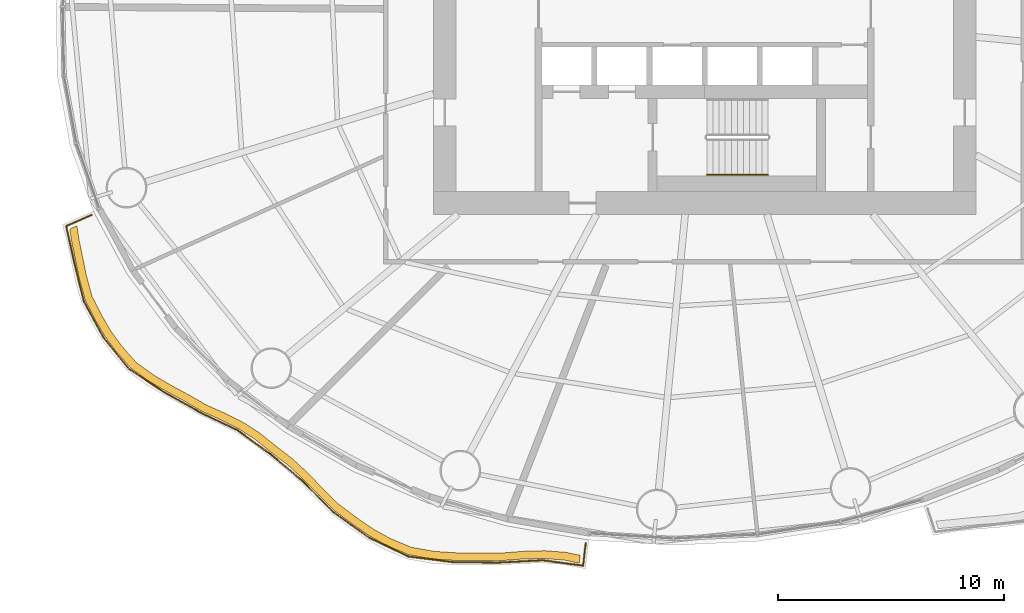
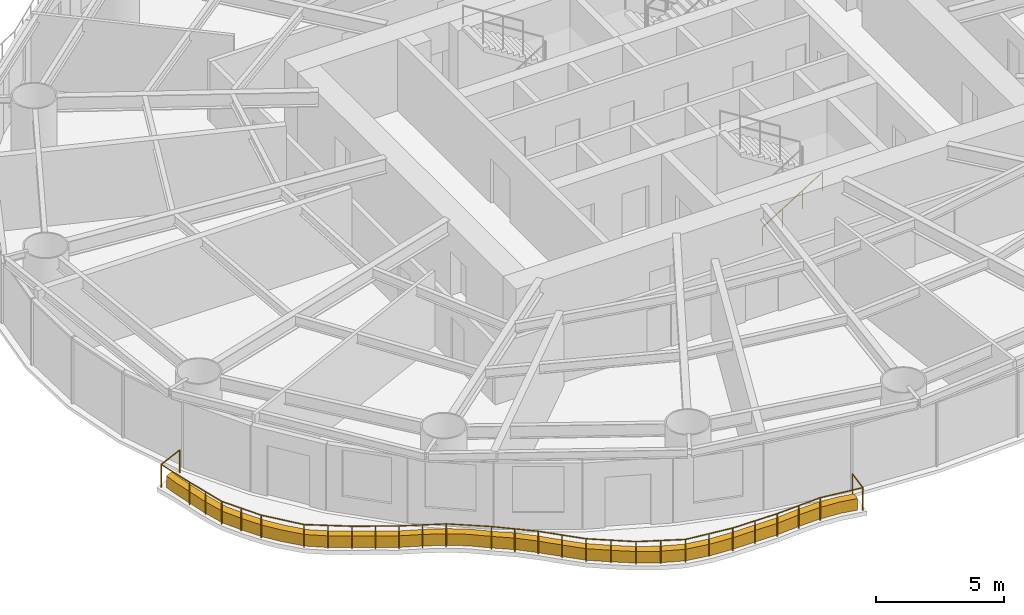
# One storey, part 12 of 16: 2 railings, 1 covering.
"""IFC4 building model written with IfcOpenShell, lengths in metres."""

from ifc_helpers import new_model, si_unit, direction, frame, origin, origin_2d, place, context, subcontext, project, spatial, polyline, circle, outline, extrude, material, type_object, element, save


model = new_model("IFC4")

# Units and contexts
model_context = context("Model", 3, precision=1e-05, world=origin(), true_north=direction((0.0, 1.0)))
body_context = subcontext(model_context, "Body", "Model", "MODEL_VIEW")
ifc_project = project(units=[si_unit("LENGTHUNIT", "METRE"), si_unit("AREAUNIT", "SQUARE_METRE"), si_unit("VOLUMEUNIT", "CUBIC_METRE"), si_unit("PLANEANGLEUNIT", "RADIAN"), si_unit("MASSUNIT", "GRAM", prefix="KILO")], contexts=[model_context])

# Site, building, storey
site_placement = place(None, origin())
site = spatial("IfcSite", under=ifc_project, at=site_placement, CompositionType="ELEMENT")
building_placement = place(site_placement, origin())
building = spatial("IfcBuilding", under=site, at=building_placement, Name="Vermilion Reach Broadcast Tower", CompositionType="ELEMENT")
storey_placement = place(building_placement, frame((0.0, 0.0, 58.199951171875)))
storey = spatial("IfcBuildingStorey", under=building, at=storey_placement, Name="L11", CompositionType="ELEMENT", Elevation=58.199951171875)

# Covering
ifc_material_1 = material(Name="Planting soil and greenery")
covering_type = type_object("IfcCoveringType", Name="Balcony PLANTER", PredefinedType="USERDEFINED", material=ifc_material_1)
covering_placement = place(storey_placement, origin())
element("IfcCovering", 1, at=covering_placement, inside=storey, type_object=covering_type, Name="PLANTER L11 group 3", ObjectType="PLANTER", PredefinedType="USERDEFINED", context=body_context, shape_type="SweptSolid", body=[
    extrude(outline(polyline([(-34.08740234375, -9.64990234375), (-33.98828125, -10.26708984375), (-33.8212890625, -11.07470703125), (-33.656494140625, -11.883544921875), (-33.392333984375, -12.82373046875), (-32.942138671875, -13.698486328125), (-32.531494140625, -14.3994140625), (-32.053466796875, -15.050048828125), (-31.40673828125, -15.784912109375), (-30.5908203125, -16.37744140625), (-29.852783203125, -16.809814453125), (-29.0927734375, -17.22021484375), (-28.262451171875, -17.703369140625), (-27.37353515625, -18.10498046875), (-26.6044921875, -18.496826171875), (-25.886962890625, -18.95654296875), (-25.172119140625, -19.533935546875), (-24.417236328125, -20.10791015625), (-23.76171875, -20.7158203125), (-23.13134765625, -21.3671875), (-22.406982421875, -22.08984375), (-21.573486328125, -22.70947265625), (-20.823974609375, -23.2275390625), (-20.0400390625, -23.663818359375), (-19.084716796875, -24.060791015625), (-18.042236328125, -24.246826171875), (-17.11181640625, -24.30810546875), (-16.16552734375, -24.314453125), (-15.12841796875, -24.329345703125), (-14.085693359375, -24.251220703125), (-13.142333984375, -24.224853515625), (-12.215576171875, -24.29443359375), (-11.54541015625, -24.43359375), (-11.5048828125, -24.0859375), (-12.15625, -23.949462890625), (-13.082763671875, -23.880126953125), (-14.026123046875, -23.906494140625), (-15.049560546875, -23.98828125), (-16.067626953125, -23.978271484375), (-17.013916015625, -23.97216796875), (-17.9443359375, -23.910888671875), (-18.96728515625, -23.731201171875), (-19.903564453125, -23.341552734375), (-20.687744140625, -22.9052734375), (-21.43701171875, -22.38720703125), (-22.251220703125, -21.7763671875), (-22.956787109375, -21.06396484375), (-23.587158203125, -20.41259765625), (-24.242431640625, -19.8046875), (-24.978271484375, -19.242431640625), (-25.675048828125, -18.67822265625), (-26.392333984375, -18.218505859375), (-27.161376953125, -17.82666015625), (-28.031982421875, -17.43994140625), (-28.84521484375, -16.972900390625), (-29.60498046875, -16.5625), (-30.34326171875, -16.130126953125), (-31.14208984375, -15.5556640625), (-31.773193359375, -14.84033203125), (-32.251220703125, -14.189697265625), (-32.661865234375, -13.48876953125), (-33.09716796875, -12.635498046875), (-33.34814453125, -11.7177734375), (-33.51318359375, -10.908935546875), (-33.679931640625, -10.101318359375), (-33.767333984375, -9.508544921875), (-34.08740234375, -9.64990234375)])), origin(), (0.0, 0.0, 1.0), 0.550048828125),
])

# Railings
ifc_material_2 = material(Name="Stainless steel 316 balustrade", Category="steel")
railing_type_1 = type_object("IfcRailingType", Name="Balcony guard 1100", PredefinedType="BALUSTRADE", material=ifc_material_2)
railing_1_placement = place(storey_placement, frame((-33.1259765625, -9.029052734375, 0.0)))
element("IfcRailing", 2, at=railing_1_placement, inside=storey, type_object=railing_type_1, Name="Balcony guard L11 group 3", PredefinedType="BALUSTRADE", context=body_context, shape_type="SweptSolid", body=[
    extrude(circle(Radius=0.02490234375, at=origin_2d()), frame((0.0, 0.0, 1.0751953125), z_axis=(-0.914746600947, -0.4040280387, 0.0), x_axis=(0.4040280387, -0.914746600947, 0.0)), (0.0, 0.0, 1.0), 1.224365234375),
    extrude(circle(Radius=0.02490234375, at=origin_2d()), frame((-1.119873046875, -0.49462890625, 1.0751953125), z_axis=(0.217470351026, -0.976066927226, 0.0), x_axis=(0.976066927226, 0.217470351026, 0.0)), (0.0, 0.0, 1.0), 1.6279296875),
    extrude(circle(Radius=0.02490234375, at=origin_2d()), frame((-0.765869140625, -2.08349609375, 1.0751953125), z_axis=(0.239195468371, -0.970971435167, 0.0), x_axis=(0.970971435167, 0.239195468371, 0.0)), (0.0, 0.0, 1.0), 1.806640625),
    extrude(circle(Radius=0.02490234375, at=origin_2d()), frame((-0.333740234375, -3.837646484375, 1.0751953125), z_axis=(0.479659096548, -0.877454928243, 0.0), x_axis=(0.877454928243, 0.479659096548, 0.0)), (0.0, 0.0, 1.0), 1.80126953125),
    extrude(circle(Radius=0.02490234375, at=origin_2d()), frame((0.5302734375, -5.418212890625, 1.0751953125), z_axis=(0.630299947312, -0.776351709227, 0.0), x_axis=(0.776351709227, 0.630299947312, 0.0)), (0.0, 0.0, 1.0), 1.790283203125),
    extrude(circle(Radius=0.02490234375, at=origin_2d()), frame((1.65869140625, -6.80810546875, 1.0751953125), z_axis=(0.834396531599, -0.551164610671, 0.0), x_axis=(0.551164610671, 0.834396531599, 0.0)), (0.0, 0.0, 1.0), 1.866943359375),
    extrude(circle(Radius=0.02490234375, at=origin_2d()), frame((3.216552734375, -7.837158203125, 1.0751953125), z_axis=(0.871411550042, -0.490552658186, 0.0), x_axis=(0.490552658186, 0.871411550042, 0.0)), (0.0, 0.0, 1.0), 1.82958984375),
    extrude(circle(Radius=0.02490234375, at=origin_2d()), frame((4.810791015625, -8.734619140625, 1.0751953125), z_axis=(0.901746130063, -0.432266025632, 0.0), x_axis=(0.432266025632, 0.901746130063, 0.0)), (0.0, 0.0, 1.0), 1.843505859375),
    extrude(circle(Radius=0.02490234375, at=origin_2d()), frame((6.47314453125, -9.531494140625, 1.0751953125), z_axis=(0.809996237479, -0.586435073362, 0.0), x_axis=(0.586435073362, 0.809996237479, 0.0)), (0.0, 0.0, 1.0), 1.7734375),
    extrude(circle(Radius=0.02490234375, at=origin_2d()), frame((7.90966796875, -10.571533203125, 1.0751953125), z_axis=(0.76667890459, -0.642030729215, 0.0), x_axis=(0.642030729215, 0.76667890459, 0.0)), (0.0, 0.0, 1.0), 1.844970703125),
    extrude(circle(Radius=0.02490234375, at=origin_2d()), frame((9.32421875, -11.756103515625, 1.0751953125), z_axis=(0.70267522741, -0.711510734131, 0.0), x_axis=(0.711510734131, 0.70267522741, 0.0)), (0.0, 0.0, 1.0), 1.934326171875),
    extrude(circle(Radius=0.02490234375, at=origin_2d()), frame((10.683349609375, -13.13232421875, 1.0751953125), z_axis=(0.812270616233, -0.583280760873, 0.0), x_axis=(0.583280760873, 0.812270616233, 0.0)), (0.0, 0.0, 1.0), 1.954345703125),
    extrude(circle(Radius=0.02490234375, at=origin_2d()), frame((12.270751953125, -14.272216796875, 1.0751953125), z_axis=(0.901948229263, -0.431844175288, 0.0), x_axis=(0.431844175288, 0.901948229263, 0.0)), (0.0, 0.0, 1.0), 1.93359375),
    extrude(circle(Radius=0.02490234375, at=origin_2d()), frame((14.0146484375, -15.107177734375, 1.0751953125), z_axis=(0.992175755848, -0.124848986813, 0.0), x_axis=(0.124848986813, 0.992175755848, 0.0)), (0.0, 0.0, 1.0), 1.99267578125),
    extrude(circle(Radius=0.02490234375, at=origin_2d()), frame((15.99169921875, -15.35595703125, 1.0751953125), z_axis=(0.999937547489, -0.011175917075, 0.0), x_axis=(0.011175917075, 0.999937547489, 0.0)), (0.0, 0.0, 1.0), 1.988037109375),
    extrude(circle(Radius=0.02490234375, at=origin_2d()), frame((17.9794921875, -15.378173828125, 1.0751953125), z_axis=(0.998650456179, 0.051935213225, 0.0), x_axis=(-0.051935213225, 0.998650456179, 0.0)), (0.0, 0.0, 1.0), 1.9931640625),
    extrude(circle(Radius=0.02490234375, at=origin_2d()), frame((19.969970703125, -15.274658203125, 1.0751953125), z_axis=(0.991039205839, -0.133571301144, 0.0), x_axis=(0.133571301144, 0.991039205839, 0.0)), (0.0, 0.0, 1.0), 1.794921875),
    extrude(circle(Radius=0.02490234375, at=origin_2d()), frame((21.748779296875, -15.514404296875, 1.0751953125), z_axis=(0.115578531913, 0.993298345393, 0.0), x_axis=(-0.993298345393, 0.115578531913, 0.0)), (0.0, 0.0, 1.0), 1.009765625),
    extrude(circle(Radius=0.02490234375, at=origin_2d()), origin(), (0.0, 0.0, 1.0), 1.050048828125),
    extrude(circle(Radius=0.02490234375, at=origin_2d()), frame((-1.119873046875, -0.49462890625, 0.0)), (0.0, 0.0, 1.0), 1.050048828125),
    extrude(circle(Radius=0.02490234375, at=origin_2d()), frame((-0.765869140625, -2.08349609375, 0.0)), (0.0, 0.0, 1.0), 1.050048828125),
    extrude(circle(Radius=0.02490234375, at=origin_2d()), frame((-0.5498046875, -2.96044921875, 0.0)), (0.0, 0.0, 1.0), 1.050048828125),
    extrude(circle(Radius=0.02490234375, at=origin_2d()), frame((-0.333740234375, -3.837646484375, 0.0)), (0.0, 0.0, 1.0), 1.050048828125),
    extrude(circle(Radius=0.02490234375, at=origin_2d()), frame((0.09814453125, -4.6279296875, 0.0)), (0.0, 0.0, 1.0), 1.050048828125),
    extrude(circle(Radius=0.02490234375, at=origin_2d()), frame((0.5302734375, -5.418212890625, 0.0)), (0.0, 0.0, 1.0), 1.050048828125),
    extrude(circle(Radius=0.02490234375, at=origin_2d()), frame((1.65869140625, -6.80810546875, 0.0)), (0.0, 0.0, 1.0), 1.050048828125),
    extrude(circle(Radius=0.02490234375, at=origin_2d()), frame((2.4375, -7.32275390625, 0.0)), (0.0, 0.0, 1.0), 1.050048828125),
    extrude(circle(Radius=0.02490234375, at=origin_2d()), frame((3.216552734375, -7.837158203125, 0.0)), (0.0, 0.0, 1.0), 1.050048828125),
    extrude(circle(Radius=0.02490234375, at=origin_2d()), frame((4.013671875, -8.285888671875, 0.0)), (0.0, 0.0, 1.0), 1.050048828125),
    extrude(circle(Radius=0.02490234375, at=origin_2d()), frame((4.810791015625, -8.734619140625, 0.0)), (0.0, 0.0, 1.0), 1.050048828125),
    extrude(circle(Radius=0.02490234375, at=origin_2d()), frame((5.64208984375, -9.133056640625, 0.0)), (0.0, 0.0, 1.0), 1.050048828125),
    extrude(circle(Radius=0.02490234375, at=origin_2d()), frame((6.47314453125, -9.531494140625, 0.0)), (0.0, 0.0, 1.0), 1.050048828125),
    extrude(circle(Radius=0.02490234375, at=origin_2d()), frame((7.90966796875, -10.571533203125, 0.0)), (0.0, 0.0, 1.0), 1.050048828125),
    extrude(circle(Radius=0.02490234375, at=origin_2d()), frame((8.616943359375, -11.163818359375, 0.0)), (0.0, 0.0, 1.0), 1.050048828125),
    extrude(circle(Radius=0.02490234375, at=origin_2d()), frame((9.32421875, -11.756103515625, 0.0)), (0.0, 0.0, 1.0), 1.050048828125),
    extrude(circle(Radius=0.02490234375, at=origin_2d()), frame((10.00390625, -12.4443359375, 0.0)), (0.0, 0.0, 1.0), 1.050048828125),
    extrude(circle(Radius=0.02490234375, at=origin_2d()), frame((10.683349609375, -13.13232421875, 0.0)), (0.0, 0.0, 1.0), 1.050048828125),
    extrude(circle(Radius=0.02490234375, at=origin_2d()), frame((11.47705078125, -13.7021484375, 0.0)), (0.0, 0.0, 1.0), 1.050048828125),
    extrude(circle(Radius=0.02490234375, at=origin_2d()), frame((12.270751953125, -14.272216796875, 0.0)), (0.0, 0.0, 1.0), 1.050048828125),
    extrude(circle(Radius=0.02490234375, at=origin_2d()), frame((13.142578125, -14.689697265625, 0.0)), (0.0, 0.0, 1.0), 1.050048828125),
    extrude(circle(Radius=0.02490234375, at=origin_2d()), frame((14.0146484375, -15.107177734375, 0.0)), (0.0, 0.0, 1.0), 1.050048828125),
    extrude(circle(Radius=0.02490234375, at=origin_2d()), frame((15.003173828125, -15.2314453125, 0.0)), (0.0, 0.0, 1.0), 1.050048828125),
    extrude(circle(Radius=0.02490234375, at=origin_2d()), frame((15.99169921875, -15.35595703125, 0.0)), (0.0, 0.0, 1.0), 1.050048828125),
    extrude(circle(Radius=0.02490234375, at=origin_2d()), frame((16.985595703125, -15.3671875, 0.0)), (0.0, 0.0, 1.0), 1.050048828125),
    extrude(circle(Radius=0.02490234375, at=origin_2d()), frame((17.9794921875, -15.378173828125, 0.0)), (0.0, 0.0, 1.0), 1.050048828125),
    extrude(circle(Radius=0.02490234375, at=origin_2d()), frame((18.974609375, -15.326416015625, 0.0)), (0.0, 0.0, 1.0), 1.050048828125),
    extrude(circle(Radius=0.02490234375, at=origin_2d()), frame((19.969970703125, -15.274658203125, 0.0)), (0.0, 0.0, 1.0), 1.050048828125),
    extrude(circle(Radius=0.02490234375, at=origin_2d()), frame((21.748779296875, -15.514404296875, 0.0)), (0.0, 0.0, 1.0), 1.050048828125),
    extrude(circle(Radius=0.02490234375, at=origin_2d()), frame((21.865478515625, -14.511474609375, 0.0)), (0.0, 0.0, 1.0), 1.050048828125),
])
ifc_material_3 = material(Name="Stainless steel", Category="steel")
railing_type_2 = type_object("IfcRailingType", Name="Stair handrail", PredefinedType="HANDRAIL", material=ifc_material_3)
railing_2_placement = place(storey_placement, frame((-5.89990234375, -7.25, 0.168212890625)))
element("IfcRailing", 3, at=railing_2_placement, inside=storey, type_object=railing_type_2, Name="L11 ST3 stair handrail 1", PredefinedType="HANDRAIL", context=body_context, shape_type="SweptSolid", body=[
    extrude(circle(Radius=0.02392578125, at=origin_2d()), frame((0.0, 0.0, 0.8759765625), z_axis=(0.848786430784, 0.0, 0.528735846068), x_axis=(0.0, 1.0, 0.0)), (0.0, 0.0, 1.0), 3.180908203125),
    extrude(circle(Radius=0.02099609375, at=origin_2d()), origin(), (0.0, 0.0, 1.0), 0.851806640625),
    extrude(circle(Radius=0.02099609375, at=origin_2d()), frame((0.89990234375, 0.0, 0.560546875)), (0.0, 0.0, 1.0), 0.851806640625),
    extrude(circle(Radius=0.02099609375, at=origin_2d()), frame((1.800048828125, 0.0, 1.121337890625)), (0.0, 0.0, 1.0), 0.851806640625),
    extrude(circle(Radius=0.02099609375, at=origin_2d()), frame((2.699951171875, 0.0, 1.681884765625)), (0.0, 0.0, 1.0), 0.851806640625),
])

save(model, "model.ifc")
